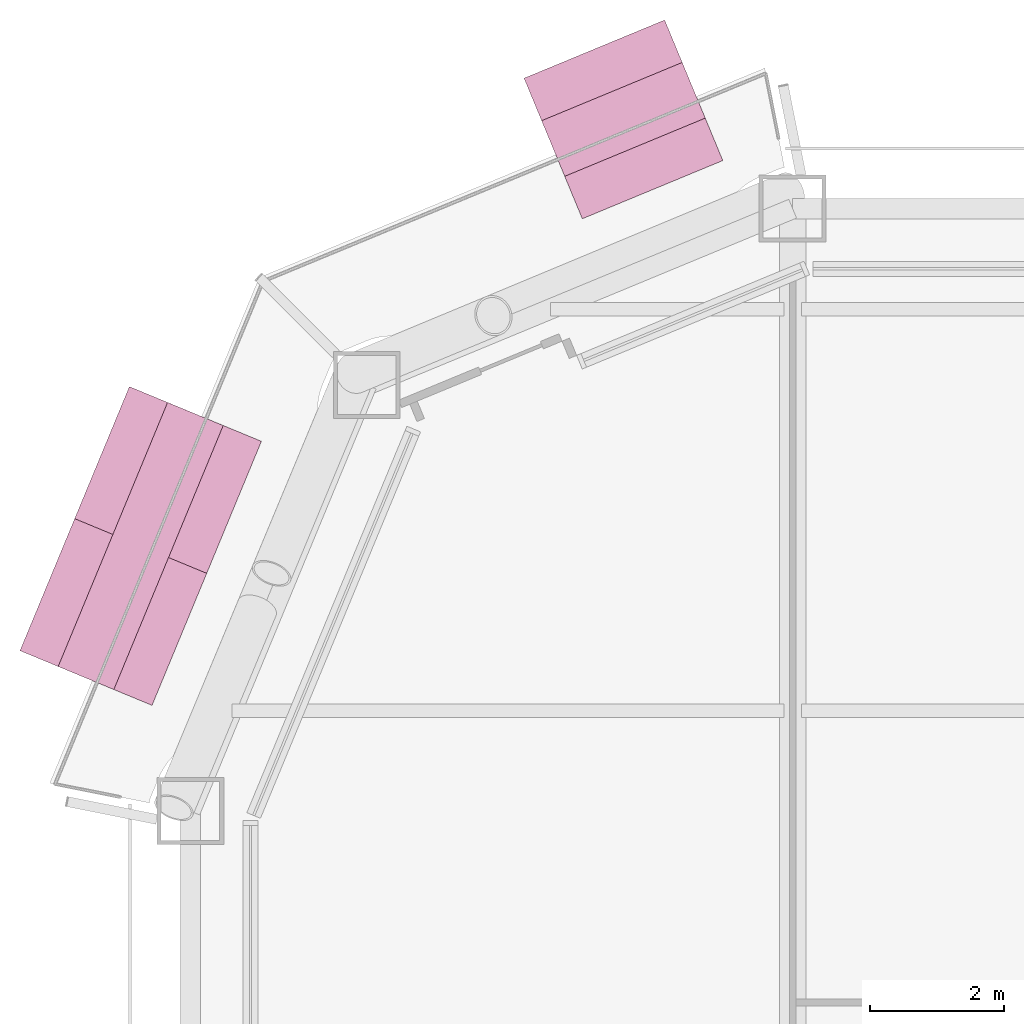
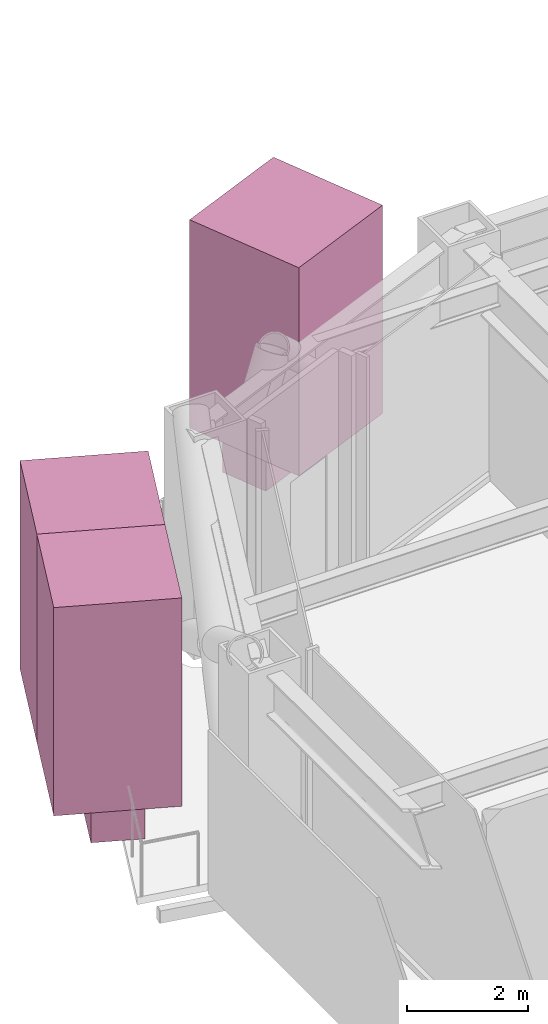
# One storey, part 28 of 28: 5 furnishings.
"""IFC4 building model written with IfcOpenShell, lengths in metres."""

import ifcopenshell
import ifcopenshell.guid

model = None  # the IFC model being written
_history = None  # IfcOwnerHistory: only IFC2X3 demands one
_inside = {}  # id of a spatial element -> (the spatial element, [elements in it])
_under = {}  # id of a project, library or spatial element -> (it, [spatial elements below it])
_declared = {}  # id of a project -> (the project, [libraries it declares])
_typed = {}  # id of a type object -> (the type object, [elements of that type])
_made_of = {}  # id of a material, layer set ... -> (it, [elements and type objects made of it])


def new_model(schema):
    """Start an empty IFC model of exactly this schema.

    Asked for "IFC4X3", IfcOpenShell would pick the latest addendum, in which some entities
    have other attributes; the version numbers below select the first issue.
    IFC2X3 requires an IfcOwnerHistory on every rooted entity: one is made here for all.
    """
    global model, _history
    if schema == "IFC4X3":
        model = ifcopenshell.file(schema_version=(4, 3, 0, 0))
    else:
        model = ifcopenshell.file(schema=schema)
    _inside.clear()
    _under.clear()
    _declared.clear()
    _typed.clear()
    _made_of.clear()
    _history = None
    if model.schema == "IFC2X3":
        org = make("IfcOrganization", Name="unknown")
        user = make(
            "IfcPersonAndOrganization",
            ThePerson=make("IfcPerson", FamilyName="unknown"),
            TheOrganization=org,
        )
        app = make(
            "IfcApplication",
            ApplicationDeveloper=org,
            Version="unknown",
            ApplicationFullName="unknown",
            ApplicationIdentifier="unknown",
        )
        _history = make(
            "IfcOwnerHistory",
            OwningUser=user,
            OwningApplication=app,
            ChangeAction="ADDED",
            CreationDate=0,
        )
    return model


def make(cls, **values):
    """One entity of the class cls with the attributes given. An attribute that is None is left unset."""
    return model.create_entity(
        cls, **{name: value for name, value in values.items() if value is not None}
    )


def rooted(cls, **values):
    """An entity with a GlobalId (a new one), such as an element, a storey or a relation."""
    return make(cls, GlobalId=ifcopenshell.guid.new(), OwnerHistory=_history, **values)


def si_unit(unit_type, name, prefix=None):
    """IfcSIUnit, for example si_unit("LENGTHUNIT", "METRE", prefix="MILLI")."""
    return make("IfcSIUnit", UnitType=unit_type, Prefix=prefix, Name=name)


def assignment(units):
    """IfcUnitAssignment: the units of a project."""
    return None if units is None else make("IfcUnitAssignment", Units=units)


def point(xyz):
    """IfcCartesianPoint."""
    return None if xyz is None else make("IfcCartesianPoint", Coordinates=xyz)


def direction(xyz):
    """IfcDirection."""
    return None if xyz is None else make("IfcDirection", DirectionRatios=xyz)


def frame(location, z_axis=None, x_axis=None):
    """IfcAxis2Placement3D, a coordinate frame: its origin and axes. An axis left out is left unset."""
    return make(
        "IfcAxis2Placement3D",
        Location=point(location),
        Axis=direction(z_axis),
        RefDirection=direction(x_axis),
    )


def frame_2d(location, x_axis=None):
    """IfcAxis2Placement2D, a coordinate frame in the plane: its origin and x axis."""
    return make(
        "IfcAxis2Placement2D", Location=point(location), RefDirection=direction(x_axis)
    )


def origin():
    """The frame at (0, 0, 0) with its axes left unset."""
    return frame((0.0, 0.0, 0.0))


def origin_2d():
    """The frame at (0, 0) in the plane with its x axis left unset."""
    return frame_2d((0.0, 0.0))


def place(relative_to, where):
    """IfcLocalPlacement: puts the frame where relative to a parent placement (None: the world)."""
    return make(
        "IfcLocalPlacement", PlacementRelTo=relative_to, RelativePlacement=where
    )


def context(
    kind, dimensions, precision=None, world=None, true_north=None, identifier=None
):
    """IfcGeometricRepresentationContext, for example the 3D "Model" context."""
    return make(
        "IfcGeometricRepresentationContext",
        ContextIdentifier=identifier,
        ContextType=kind,
        CoordinateSpaceDimension=dimensions,
        Precision=precision,
        WorldCoordinateSystem=world,
        TrueNorth=true_north,
    )


def subcontext(parent, identifier, kind, view, scale=None):
    """IfcGeometricRepresentationSubContext, for example "Body" below "Model"."""
    return make(
        "IfcGeometricRepresentationSubContext",
        ContextIdentifier=identifier,
        ContextType=kind,
        ParentContext=parent,
        TargetScale=scale,
        TargetView=view,
    )


def project(units=None, contexts=None):
    """IfcProject with its units and contexts."""
    return rooted(
        "IfcProject",
        Name="project",
        RepresentationContexts=contexts,
        UnitsInContext=assignment(units),
    )


def spatial(cls, under=None, at=None, **own):
    """A site, building, storey or space (cls), placed at a placement, below another one or the project."""
    s = rooted(cls, ObjectPlacement=at, **own)
    if under is not None:
        _under.setdefault(under.id(), (under, []))[1].append(s)
    return s


def profile(cls, at=None, kind="AREA", **sizes):
    """A parametric profile (cls). Its sizes go by their IFC names, for example OverallWidth=200.0."""
    return make(cls, ProfileType=kind, Position=at, **sizes)


def rectangle(**sizes):
    """IfcRectangleProfileDef."""
    return profile("IfcRectangleProfileDef", **sizes)


def extrude(swept, where, along, depth):
    """IfcExtrudedAreaSolid: the profile swept, set in the frame where, extruded along a direction by depth."""
    return make(
        "IfcExtrudedAreaSolid",
        SweptArea=swept,
        Position=where,
        ExtrudedDirection=direction(along),
        Depth=depth,
    )


def shape(context_of_items, identifier, shape_type, items):
    """IfcShapeRepresentation: the items that make up one representation, for example the "Body"."""
    return make(
        "IfcShapeRepresentation",
        ContextOfItems=context_of_items,
        RepresentationIdentifier=identifier,
        RepresentationType=shape_type,
        Items=items,
    )


def material(Name=None, Category=None):
    """IfcMaterial."""
    return make("IfcMaterial", Name=Name, Category=Category)


def made_of(thing, what):
    """Note that an element or type object is made of a material, layer set ...; save() writes the relation."""
    if what is not None:
        _made_of.setdefault(what.id(), (what, []))[1].append(thing)
    return thing


def type_object(cls, material=None, **own):
    """A type object (cls), such as IfcWallType, which elements share."""
    return made_of(rooted(cls, **own), material)


def element(
    cls,
    number,
    at=None,
    inside=None,
    cuts=None,
    type_object=None,
    material=None,
    context=None,
    identifier="Body",
    shape_type=None,
    held_by="IfcProductDefinitionShape",
    body=None,
    shapes=None,
    **own,
):
    """One element of the class cls, such as IfcWall. Its Tag is "e" and its number.

    at: its placement. inside: the storey or other place that contains it. cuts: it is an
    opening in that element (IfcRelVoidsElement). A single representation is given by context,
    identifier, shape_type and body (its items); several are given by shapes. held_by: the class
    of the entity that holds the representations. save() writes the other relations.
    """
    e = rooted(cls, Tag="e%d" % number, ObjectPlacement=at, **own)
    if body is not None:
        shapes = [shape(context, identifier, shape_type, body)]
    if shapes is not None:
        e.Representation = make(held_by, Representations=shapes)
    if inside is not None:
        _inside.setdefault(inside.id(), (inside, []))[1].append(e)
    if cuts is not None:
        rooted(
            "IfcRelVoidsElement", RelatingBuildingElement=cuts, RelatedOpeningElement=e
        )
    if type_object is not None:
        _typed.setdefault(type_object.id(), (type_object, []))[1].append(e)
    return made_of(e, material)


def aggregate(whole, parts):
    """IfcRelAggregates: a whole, such as a stair, and the parts it consists of."""
    return rooted("IfcRelAggregates", RelatingObject=whole, RelatedObjects=parts)


def save(model, path):
    """Write the relations noted so far, then the file.

    IfcRelAggregates (storeys below a building ...), IfcRelContainedInSpatialStructure (elements
    in a storey), IfcRelDefinesByType, IfcRelAssociatesMaterial and IfcRelDeclares: one each for
    every whole, place, type object, material and project.
    """
    for whole, parts in _under.values():
        aggregate(whole, parts)
    for where, things in _inside.values():
        rooted(
            "IfcRelContainedInSpatialStructure",
            RelatedElements=things,
            RelatingStructure=where,
        )
    for kind, things in _typed.values():
        rooted("IfcRelDefinesByType", RelatedObjects=things, RelatingType=kind)
    for what, things in _made_of.values():
        rooted("IfcRelAssociatesMaterial", RelatedObjects=things, RelatingMaterial=what)
    for by, libraries in _declared.values():
        rooted("IfcRelDeclares", RelatingContext=by, RelatedDefinitions=libraries)
    model.write(path)


model = new_model("IFC4")

# Units and contexts
model_context = context("Model", 3, precision=1e-05, world=origin(), true_north=direction((0.0, 1.0)))
body_context = subcontext(model_context, "Body", "Model", "MODEL_VIEW")
ifc_project = project(units=[si_unit("LENGTHUNIT", "METRE"), si_unit("AREAUNIT", "SQUARE_METRE"), si_unit("VOLUMEUNIT", "CUBIC_METRE"), si_unit("PLANEANGLEUNIT", "RADIAN"), si_unit("MASSUNIT", "GRAM", prefix="KILO")], contexts=[model_context])

# Site, building, storey
site_placement = place(None, origin())
site = spatial("IfcSite", under=ifc_project, at=site_placement, CompositionType="ELEMENT")
building_placement = place(site_placement, origin())
building = spatial("IfcBuilding", under=site, at=building_placement, Name="Siwar Civic Tower", CompositionType="ELEMENT")
storey_placement = place(building_placement, frame((0.0, 0.0, 85.199951171875)))
storey = spatial("IfcBuildingStorey", under=building, at=storey_placement, Name="L18", CompositionType="ELEMENT", Elevation=85.199951171875)

# Furnishings
ifc_material_1 = material(Name="Planting soil and foliage")
furnishing_element_type_1 = type_object("IfcFurnishingElementType", Name="ENV-PLANTER", material=ifc_material_1)
furnishing_1_placement = place(storey_placement, frame((-25.0283203125, 32.833984375, 0.0), z_axis=(0.0, 0.0, 1.0), x_axis=(-0.923879532511, -0.382683432365, 0.0)))
element("IfcFurnishingElement", 1, at=furnishing_1_placement, inside=storey, type_object=furnishing_element_type_1, Name="PLANTER NW 1", context=body_context, shape_type="SweptSolid", body=[
    extrude(rectangle(XDim=2.273193359375, YDim=0.89990234375, at=origin_2d()), origin(), (0.0, 0.0, 1.0), 0.60009765625),
])
furnishing_2_placement = place(storey_placement, frame((-32.240966796875, 26.460205078125, 0.0), z_axis=(0.0, 0.0, 1.0), x_axis=(-0.382683432365, -0.923879532511, 0.0)))
element("IfcFurnishingElement", 2, at=furnishing_2_placement, inside=storey, type_object=furnishing_element_type_1, Name="PLANTER NW 2", context=body_context, shape_type="SweptSolid", body=[
    extrude(rectangle(XDim=4.270751953125, YDim=0.89990234375, at=origin_2d()), origin(), (0.0, 0.0, 1.0), 0.60009765625),
])
ifc_material_2 = material(Name="Planting soil and foliage")
furnishing_element_type_2 = type_object("IfcFurnishingElementType", Name="ENV-TREE", material=ifc_material_2)
furnishing_3_placement = place(storey_placement, frame((-25.0283203125, 32.833984375, 0.60009765625), z_axis=(0.0, 0.0, 1.0), x_axis=(-0.923879532511, -0.382683432365, 0.0)))
element("IfcFurnishingElement", 3, at=furnishing_3_placement, inside=storey, type_object=furnishing_element_type_2, Name="PLANTER (TREE) NW 1.1", context=body_context, shape_type="SweptSolid", body=[
    extrude(rectangle(XDim=2.273193359375, YDim=2.273193359375, at=origin_2d()), origin(), (0.0, 0.0, 1.0), 4.199951171875),
])
for number, where, z_axis, x_axis, name in (
    (4, (-31.832275390625, 27.44677734375, 0.60009765625), (0.0, 0.0, 1.0), (-0.382683432365, -0.923879532511, 0.0), "PLANTER (TREE) NW 2.1"),
    (5, (-32.6494140625, 25.473876953125, 0.60009765625), (0.0, 0.0, 1.0), (-0.382683432365, -0.923879532511, 0.0), "PLANTER (TREE) NW 2.2"),
):
    element("IfcFurnishingElement", number, at=place(storey_placement, frame(where, z_axis=z_axis, x_axis=x_axis)), inside=storey, type_object=furnishing_element_type_2, Name=name, context=body_context, shape_type="SweptSolid", body=[
        extrude(rectangle(XDim=2.13525390625, YDim=2.13525390625, at=origin_2d()), origin(), (0.0, 0.0, 1.0), 4.199951171875),
    ])

save(model, "model.ifc")
